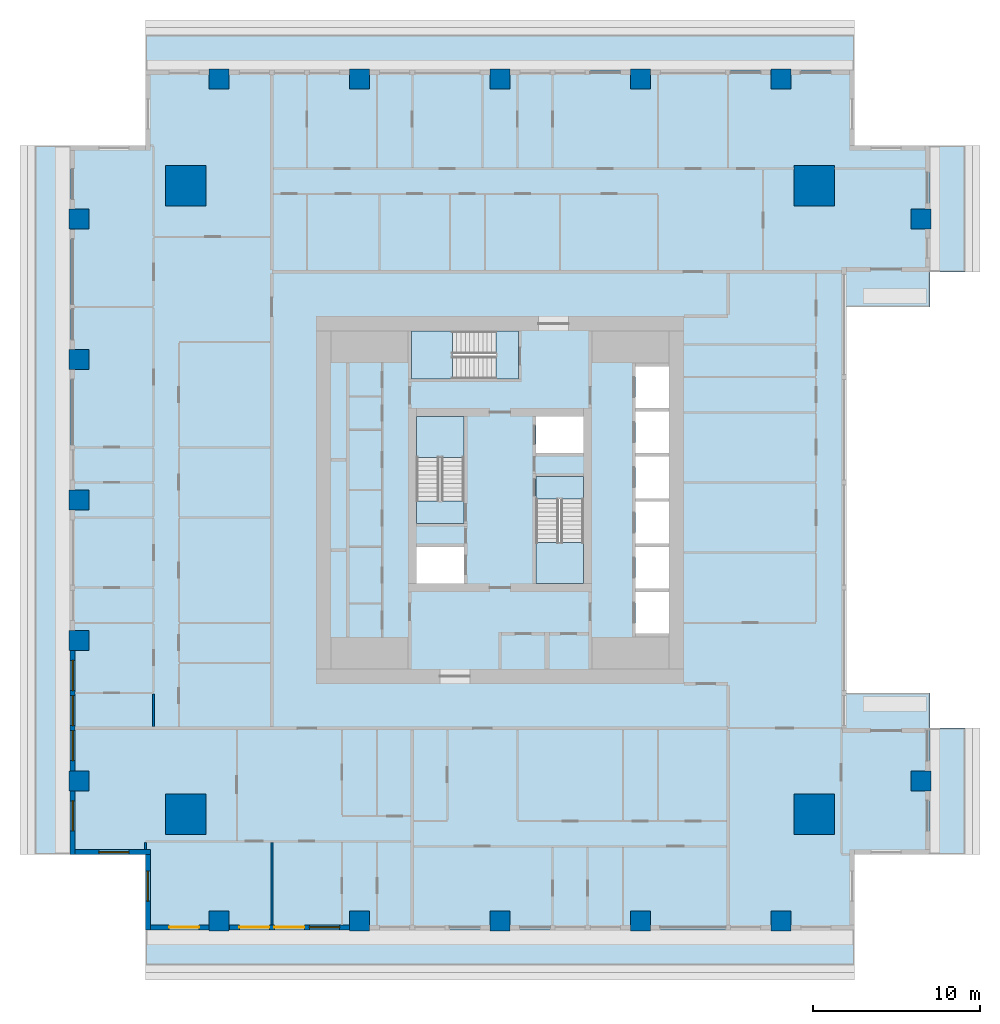
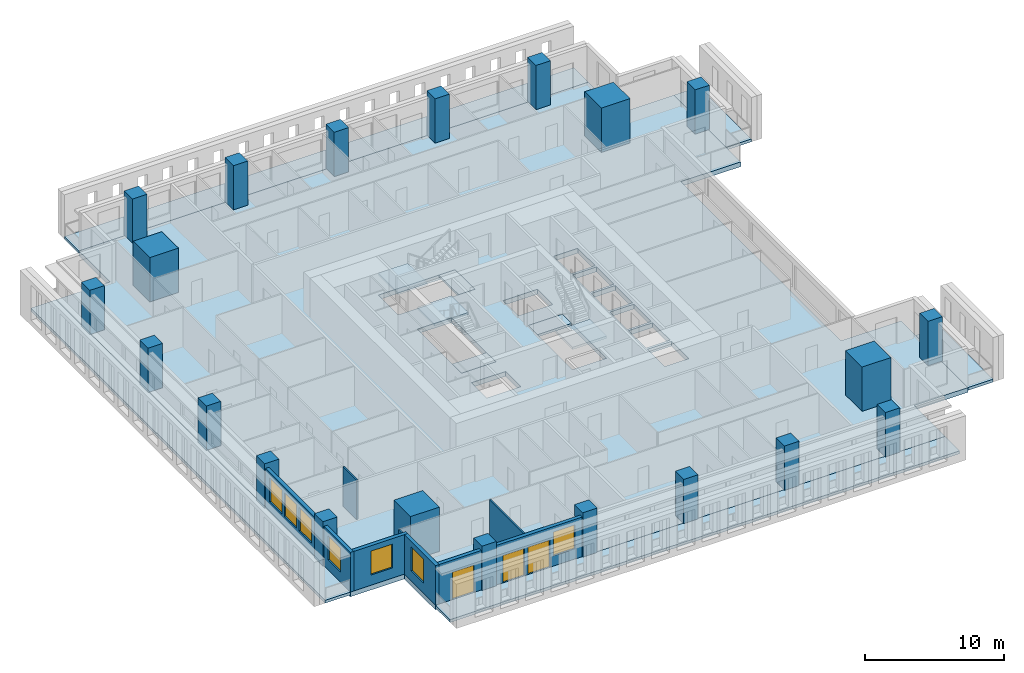
# One storey, part 1 of 15: 21 columns, 12 slabs, 9 walls, 7 windows, 3 doors, 10 openings, 3 elements without a shape of their own.
"""IFC4 building model written with IfcOpenShell, lengths in metres."""

import ifcopenshell
import ifcopenshell.guid

model = None  # the IFC model being written
_history = None  # IfcOwnerHistory: only IFC2X3 demands one
_inside = {}  # id of a spatial element -> (the spatial element, [elements in it])
_under = {}  # id of a project, library or spatial element -> (it, [spatial elements below it])
_declared = {}  # id of a project -> (the project, [libraries it declares])
_typed = {}  # id of a type object -> (the type object, [elements of that type])
_made_of = {}  # id of a material, layer set ... -> (it, [elements and type objects made of it])


def new_model(schema):
    """Start an empty IFC model of exactly this schema.

    Asked for "IFC4X3", IfcOpenShell would pick the latest addendum, in which some entities
    have other attributes; the version numbers below select the first issue.
    IFC2X3 requires an IfcOwnerHistory on every rooted entity: one is made here for all.
    """
    global model, _history
    if schema == "IFC4X3":
        model = ifcopenshell.file(schema_version=(4, 3, 0, 0))
    else:
        model = ifcopenshell.file(schema=schema)
    _inside.clear()
    _under.clear()
    _declared.clear()
    _typed.clear()
    _made_of.clear()
    _history = None
    if model.schema == "IFC2X3":
        org = make("IfcOrganization", Name="unknown")
        user = make(
            "IfcPersonAndOrganization",
            ThePerson=make("IfcPerson", FamilyName="unknown"),
            TheOrganization=org,
        )
        app = make(
            "IfcApplication",
            ApplicationDeveloper=org,
            Version="unknown",
            ApplicationFullName="unknown",
            ApplicationIdentifier="unknown",
        )
        _history = make(
            "IfcOwnerHistory",
            OwningUser=user,
            OwningApplication=app,
            ChangeAction="ADDED",
            CreationDate=0,
        )
    return model


def make(cls, **values):
    """One entity of the class cls with the attributes given. An attribute that is None is left unset."""
    return model.create_entity(
        cls, **{name: value for name, value in values.items() if value is not None}
    )


def rooted(cls, **values):
    """An entity with a GlobalId (a new one), such as an element, a storey or a relation."""
    return make(cls, GlobalId=ifcopenshell.guid.new(), OwnerHistory=_history, **values)


def si_unit(unit_type, name, prefix=None):
    """IfcSIUnit, for example si_unit("LENGTHUNIT", "METRE", prefix="MILLI")."""
    return make("IfcSIUnit", UnitType=unit_type, Prefix=prefix, Name=name)


def assignment(units):
    """IfcUnitAssignment: the units of a project."""
    return None if units is None else make("IfcUnitAssignment", Units=units)


def point(xyz):
    """IfcCartesianPoint."""
    return None if xyz is None else make("IfcCartesianPoint", Coordinates=xyz)


def direction(xyz):
    """IfcDirection."""
    return None if xyz is None else make("IfcDirection", DirectionRatios=xyz)


def frame(location, z_axis=None, x_axis=None):
    """IfcAxis2Placement3D, a coordinate frame: its origin and axes. An axis left out is left unset."""
    return make(
        "IfcAxis2Placement3D",
        Location=point(location),
        Axis=direction(z_axis),
        RefDirection=direction(x_axis),
    )


def frame_2d(location, x_axis=None):
    """IfcAxis2Placement2D, a coordinate frame in the plane: its origin and x axis."""
    return make(
        "IfcAxis2Placement2D", Location=point(location), RefDirection=direction(x_axis)
    )


def origin():
    """The frame at (0, 0, 0) with its axes left unset."""
    return frame((0.0, 0.0, 0.0))


def origin_2d():
    """The frame at (0, 0) in the plane with its x axis left unset."""
    return frame_2d((0.0, 0.0))


def place(relative_to, where):
    """IfcLocalPlacement: puts the frame where relative to a parent placement (None: the world)."""
    return make(
        "IfcLocalPlacement", PlacementRelTo=relative_to, RelativePlacement=where
    )


def context(
    kind, dimensions, precision=None, world=None, true_north=None, identifier=None
):
    """IfcGeometricRepresentationContext, for example the 3D "Model" context."""
    return make(
        "IfcGeometricRepresentationContext",
        ContextIdentifier=identifier,
        ContextType=kind,
        CoordinateSpaceDimension=dimensions,
        Precision=precision,
        WorldCoordinateSystem=world,
        TrueNorth=true_north,
    )


def subcontext(parent, identifier, kind, view, scale=None):
    """IfcGeometricRepresentationSubContext, for example "Body" below "Model"."""
    return make(
        "IfcGeometricRepresentationSubContext",
        ContextIdentifier=identifier,
        ContextType=kind,
        ParentContext=parent,
        TargetScale=scale,
        TargetView=view,
    )


def project(units=None, contexts=None):
    """IfcProject with its units and contexts."""
    return rooted(
        "IfcProject",
        Name="project",
        RepresentationContexts=contexts,
        UnitsInContext=assignment(units),
    )


def spatial(cls, under=None, at=None, **own):
    """A site, building, storey or space (cls), placed at a placement, below another one or the project."""
    s = rooted(cls, ObjectPlacement=at, **own)
    if under is not None:
        _under.setdefault(under.id(), (under, []))[1].append(s)
    return s


def polyline(points):
    """IfcPolyline through the points."""
    return make("IfcPolyline", Points=[point(p) for p in points])


def profile(cls, at=None, kind="AREA", **sizes):
    """A parametric profile (cls). Its sizes go by their IFC names, for example OverallWidth=200.0."""
    return make(cls, ProfileType=kind, Position=at, **sizes)


def rectangle(**sizes):
    """IfcRectangleProfileDef."""
    return profile("IfcRectangleProfileDef", **sizes)


def outline(outer, holes=None, kind="AREA"):
    """IfcArbitraryClosedProfileDef: a profile drawn as a closed curve; with holes, ...WithVoids."""
    if holes is None:
        return make("IfcArbitraryClosedProfileDef", ProfileType=kind, OuterCurve=outer)
    return make(
        "IfcArbitraryProfileDefWithVoids",
        ProfileType=kind,
        OuterCurve=outer,
        InnerCurves=holes,
    )


def extrude(swept, where, along, depth):
    """IfcExtrudedAreaSolid: the profile swept, set in the frame where, extruded along a direction by depth."""
    return make(
        "IfcExtrudedAreaSolid",
        SweptArea=swept,
        Position=where,
        ExtrudedDirection=direction(along),
        Depth=depth,
    )


def shape(context_of_items, identifier, shape_type, items):
    """IfcShapeRepresentation: the items that make up one representation, for example the "Body"."""
    return make(
        "IfcShapeRepresentation",
        ContextOfItems=context_of_items,
        RepresentationIdentifier=identifier,
        RepresentationType=shape_type,
        Items=items,
    )


def material(Name=None, Category=None):
    """IfcMaterial."""
    return make("IfcMaterial", Name=Name, Category=Category)


def layer(
    of_material, thickness, ventilated=None, Name=None, Category=None, Priority=None
):
    """IfcMaterialLayer: one layer of a wall or slab, of a material (None: an air gap)."""
    return make(
        "IfcMaterialLayer",
        Material=of_material,
        LayerThickness=thickness,
        IsVentilated=ventilated,
        Name=Name,
        Category=Category,
        Priority=Priority,
    )


def layer_set(layers, Name=None):
    """IfcMaterialLayerSet."""
    return make("IfcMaterialLayerSet", MaterialLayers=layers, LayerSetName=Name)


def material_profile(
    of_material, cross_section, Name=None, Category=None, Priority=None
):
    """IfcMaterialProfile: a cross section and its material."""
    return make(
        "IfcMaterialProfile",
        Name=Name,
        Material=of_material,
        Profile=cross_section,
        Priority=Priority,
        Category=Category,
    )


def profile_set(profiles, Name=None, composite=None):
    """IfcMaterialProfileSet."""
    return make(
        "IfcMaterialProfileSet",
        Name=Name,
        MaterialProfiles=profiles,
        CompositeProfile=composite,
    )


def made_of(thing, what):
    """Note that an element or type object is made of a material, layer set ...; save() writes the relation."""
    if what is not None:
        _made_of.setdefault(what.id(), (what, []))[1].append(thing)
    return thing


def type_object(cls, material=None, **own):
    """A type object (cls), such as IfcWallType, which elements share."""
    return made_of(rooted(cls, **own), material)


def element(
    cls,
    number,
    at=None,
    inside=None,
    cuts=None,
    type_object=None,
    material=None,
    context=None,
    identifier="Body",
    shape_type=None,
    held_by="IfcProductDefinitionShape",
    body=None,
    shapes=None,
    **own,
):
    """One element of the class cls, such as IfcWall. Its Tag is "e" and its number.

    at: its placement. inside: the storey or other place that contains it. cuts: it is an
    opening in that element (IfcRelVoidsElement). A single representation is given by context,
    identifier, shape_type and body (its items); several are given by shapes. held_by: the class
    of the entity that holds the representations. save() writes the other relations.
    """
    e = rooted(cls, Tag="e%d" % number, ObjectPlacement=at, **own)
    if body is not None:
        shapes = [shape(context, identifier, shape_type, body)]
    if shapes is not None:
        e.Representation = make(held_by, Representations=shapes)
    if inside is not None:
        _inside.setdefault(inside.id(), (inside, []))[1].append(e)
    if cuts is not None:
        rooted(
            "IfcRelVoidsElement", RelatingBuildingElement=cuts, RelatedOpeningElement=e
        )
    if type_object is not None:
        _typed.setdefault(type_object.id(), (type_object, []))[1].append(e)
    return made_of(e, material)


def fill(opening, filler):
    """IfcRelFillsElement: the door or window that sits in an opening."""
    return rooted(
        "IfcRelFillsElement",
        RelatingOpeningElement=opening,
        RelatedBuildingElement=filler,
    )


def aggregate(whole, parts):
    """IfcRelAggregates: a whole, such as a stair, and the parts it consists of."""
    return rooted("IfcRelAggregates", RelatingObject=whole, RelatedObjects=parts)


def save(model, path):
    """Write the relations noted so far, then the file.

    IfcRelAggregates (storeys below a building ...), IfcRelContainedInSpatialStructure (elements
    in a storey), IfcRelDefinesByType, IfcRelAssociatesMaterial and IfcRelDeclares: one each for
    every whole, place, type object, material and project.
    """
    for whole, parts in _under.values():
        aggregate(whole, parts)
    for where, things in _inside.values():
        rooted(
            "IfcRelContainedInSpatialStructure",
            RelatedElements=things,
            RelatingStructure=where,
        )
    for kind, things in _typed.values():
        rooted("IfcRelDefinesByType", RelatedObjects=things, RelatingType=kind)
    for what, things in _made_of.values():
        rooted("IfcRelAssociatesMaterial", RelatedObjects=things, RelatingMaterial=what)
    for by, libraries in _declared.values():
        rooted("IfcRelDeclares", RelatingContext=by, RelatedDefinitions=libraries)
    model.write(path)


model = new_model("IFC4")

# Units and contexts
model_context = context("Model", 3, precision=1e-05, world=origin(), true_north=direction((0.0, 1.0)))
body_context = subcontext(model_context, "Body", "Model", "MODEL_VIEW")
ifc_project = project(units=[si_unit("LENGTHUNIT", "METRE"), si_unit("AREAUNIT", "SQUARE_METRE"), si_unit("VOLUMEUNIT", "CUBIC_METRE"), si_unit("PLANEANGLEUNIT", "RADIAN"), si_unit("MASSUNIT", "GRAM", prefix="KILO")], contexts=[model_context])

# Site, building, storey
site_placement = place(None, origin())
site = spatial("IfcSite", under=ifc_project, at=site_placement, CompositionType="ELEMENT")
building_placement = place(site_placement, origin())
building = spatial("IfcBuilding", under=site, at=building_placement, Name="Khepri Terraces", CompositionType="ELEMENT")
storey_placement = place(building_placement, frame((0.0, 0.0, 227.39990234375)))
storey = spatial("IfcBuildingStorey", under=building, at=storey_placement, Name="L54", CompositionType="ELEMENT", Elevation=227.39990234375)

# Columns
ifc_material_1 = material(Name="Concrete C50/60", Category="concrete")
ifc_material_profile_1 = material_profile(ifc_material_1, rectangle(XDim=2.39990234375, YDim=2.39990234375, at=origin_2d()), Name="Concrete C50/60", Category="concrete")
ifc_profile_set_1 = profile_set([ifc_material_profile_1], Name="Concrete C50/60")
column_type_1 = type_object("IfcColumnType", Name="Mega column RC 2400x2400 C50/60", PredefinedType="COLUMN", material=ifc_profile_set_1)
for number, where, z_axis, x_axis, name in (
    (1, (18.800048828125, 18.800048828125, 0.0), (0.0, 0.0, 1.0), (1.0, 0.0, 0.0), "Mega column MEN L54"),
    (2, (18.800048828125, -18.800048828125, 0.0), (0.0, 0.0, 1.0), (1.0, 0.0, 0.0), "Mega column MES L54"),
    (3, (-18.800048828125, 18.800048828125, 0.0), (0.0, 0.0, 1.0), (1.0, 0.0, 0.0), "Mega column MWN L54"),
    (4, (-18.800048828125, -18.800048828125, 0.0), (0.0, 0.0, 1.0), (1.0, 0.0, 0.0), "Mega column MWS L54"),
):
    element("IfcColumn", number, at=place(storey_placement, frame(where, z_axis=z_axis, x_axis=x_axis)), inside=storey, type_object=column_type_1, Name=name, PredefinedType="COLUMN", context=body_context, shape_type="SweptSolid", body=[
        extrude(rectangle(XDim=2.39990234375, YDim=2.39990234375, at=origin_2d()), origin(), (0.0, 0.0, 1.0), 3.900146484375),
    ])
ifc_material_profile_2 = material_profile(ifc_material_1, rectangle(XDim=1.199951171875, YDim=1.199951171875, at=origin_2d()), Name="Concrete C50/60", Category="concrete")
ifc_profile_set_2 = profile_set([ifc_material_profile_2], Name="Concrete C50/60")
column_type_2 = type_object("IfcColumnType", Name="Tower column RC 1200x1200 C50/60", PredefinedType="COLUMN", material=ifc_profile_set_2)
for number, where, z_axis, x_axis, name in (
    (5, (25.199951171875, 16.800048828125, 0.0), (0.0, 0.0, 1.0), (1.0, 0.0, 0.0), "Perimeter column PE+168a L54"),
    (6, (25.199951171875, -16.800048828125, 0.0), (0.0, 0.0, 1.0), (1.0, 0.0, 0.0), "Perimeter column PE-168a L54"),
    (7, (0.0, 25.199951171875, 0.0), (0.0, 0.0, 1.0), (1.0, 0.0, 0.0), "Perimeter column PN+000b L54"),
    (8, (-8.39990234375, 25.199951171875, 0.0), (0.0, 0.0, 1.0), (1.0, 0.0, 0.0), "Perimeter column PN+084b L54"),
    (9, (-16.800048828125, 25.199951171875, 0.0), (0.0, 0.0, 1.0), (1.0, 0.0, 0.0), "Perimeter column PN+168a L54"),
    (10, (8.39990234375, 25.199951171875, 0.0), (0.0, 0.0, 1.0), (1.0, 0.0, 0.0), "Perimeter column PN-084b L54"),
    (11, (16.800048828125, 25.199951171875, 0.0), (0.0, 0.0, 1.0), (1.0, 0.0, 0.0), "Perimeter column PN-168a L54"),
    (12, (0.0, -25.199951171875, 0.0), (0.0, 0.0, 1.0), (1.0, 0.0, 0.0), "Perimeter column PS+000b L54"),
    (13, (8.39990234375, -25.199951171875, 0.0), (0.0, 0.0, 1.0), (1.0, 0.0, 0.0), "Perimeter column PS+084b L54"),
    (14, (16.800048828125, -25.199951171875, 0.0), (0.0, 0.0, 1.0), (1.0, 0.0, 0.0), "Perimeter column PS+168a L54"),
    (15, (-8.39990234375, -25.199951171875, 0.0), (0.0, 0.0, 1.0), (1.0, 0.0, 0.0), "Perimeter column PS-084b L54"),
    (16, (-16.800048828125, -25.199951171875, 0.0), (0.0, 0.0, 1.0), (1.0, 0.0, 0.0), "Perimeter column PS-168a L54"),
    (17, (-25.199951171875, 0.0, 0.0), (0.0, 0.0, 1.0), (1.0, 0.0, 0.0), "Perimeter column PW+000b L54"),
    (18, (-25.199951171875, -8.39990234375, 0.0), (0.0, 0.0, 1.0), (1.0, 0.0, 0.0), "Perimeter column PW+084b L54"),
    (19, (-25.199951171875, -16.800048828125, 0.0), (0.0, 0.0, 1.0), (1.0, 0.0, 0.0), "Perimeter column PW+168a L54"),
    (20, (-25.199951171875, 8.39990234375, 0.0), (0.0, 0.0, 1.0), (1.0, 0.0, 0.0), "Perimeter column PW-084b L54"),
    (21, (-25.199951171875, 16.800048828125, 0.0), (0.0, 0.0, 1.0), (1.0, 0.0, 0.0), "Perimeter column PW-168a L54"),
):
    element("IfcColumn", number, at=place(storey_placement, frame(where, z_axis=z_axis, x_axis=x_axis)), inside=storey, type_object=column_type_2, Name=name, PredefinedType="COLUMN", context=body_context, shape_type="SweptSolid", body=[
        extrude(rectangle(XDim=1.199951171875, YDim=1.199951171875, at=origin_2d()), origin(), (0.0, 0.0, 1.0), 3.900146484375),
    ])

# Slabs
ifc_material_2 = material(Name="Concrete C40/50", Category="concrete")
ifc_layer_1 = layer(ifc_material_2, 0.419921875, Name="Concrete C40/50", Category="concrete")
ifc_layer_set_1 = layer_set([ifc_layer_1], Name="Concrete C40/50")
slab_type_1 = type_object("IfcSlabType", Name="Flat plate 420", PredefinedType="FLOOR", material=ifc_layer_set_1)
slab_1_placement = place(storey_placement, frame((0.0, 0.0, -0.419921875)))
element("IfcSlab", 22, at=slab_1_placement, inside=storey, type_object=slab_type_1, Name="Floor slab F01 L54", PredefinedType="FLOOR", context=body_context, shape_type="SweptSolid", body=[
    extrude(outline(polyline([(21.219970703125, 25.719970703125), (21.219970703125, 21.219970703125), (25.719970703125, 21.219970703125), (25.719970703125, 13.64990234375), (25.719970703125, 11.550048828125), (20.719970703125, 11.550048828125), (20.719970703125, -11.550048828125), (25.719970703125, -11.550048828125), (25.719970703125, -13.64990234375), (25.719970703125, -21.219970703125), (21.219970703125, -21.219970703125), (21.219970703125, -25.719970703125), (-21.219970703125, -25.719970703125), (-21.219970703125, -21.219970703125), (-25.719970703125, -21.219970703125), (-25.719970703125, 21.219970703125), (-21.219970703125, 21.219970703125), (-21.219970703125, 25.719970703125), (21.219970703125, 25.719970703125)]), holes=[polyline([(2.14990234375, 2.800048828125), (5.0, 2.800048828125), (5.0, 5.0), (2.14990234375, 5.0), (2.14990234375, 2.800048828125)]), polyline([(-5.0, -2.800048828125), (-5.0, -5.0), (-2.14990234375, -5.0), (-2.14990234375, -2.800048828125), (-5.0, -2.800048828125)]), polyline([(10.10009765625, -5.5), (8.10009765625, -5.5), (8.10009765625, -8.0), (10.10009765625, -8.0), (10.10009765625, -5.5)]), polyline([(10.10009765625, -5.300048828125), (10.10009765625, -2.800048828125), (8.10009765625, -2.800048828125), (8.10009765625, -5.300048828125), (10.10009765625, -5.300048828125)]), polyline([(8.10009765625, -2.60009765625), (10.10009765625, -2.60009765625), (10.10009765625, -0.10009765625), (8.10009765625, -0.10009765625), (8.10009765625, -2.60009765625)]), polyline([(8.10009765625, 2.60009765625), (8.10009765625, 0.10009765625), (10.10009765625, 0.10009765625), (10.10009765625, 2.60009765625), (8.10009765625, 2.60009765625)]), polyline([(10.10009765625, 5.300048828125), (8.10009765625, 5.300048828125), (8.10009765625, 2.800048828125), (10.10009765625, 2.800048828125), (10.10009765625, 5.300048828125)]), polyline([(10.10009765625, 5.5), (10.10009765625, 8.0), (8.10009765625, 8.0), (8.10009765625, 5.5), (10.10009765625, 5.5)]), polyline([(-5.0, -1.39990234375), (-2.14990234375, -1.39990234375), (-2.14990234375, 5.0), (-5.0, 5.0), (-5.0, -1.39990234375)]), polyline([(5.0, -5.0), (5.0, 1.39990234375), (2.14990234375, 1.39990234375), (2.14990234375, -5.0), (5.0, -5.0)]), polyline([(-5.300048828125, 10.10009765625), (-5.300048828125, 7.25), (1.10009765625, 7.25), (1.10009765625, 10.10009765625), (-5.300048828125, 10.10009765625)])]), origin(), (0.0, 0.0, 1.0), 0.419921875),
])
ifc_material_3 = material(Name="Precast concrete C50/60 warm stone", Category="masonry")
ifc_layer_2 = layer(ifc_material_3, 0.25, Name="Precast concrete C50/60 warm stone", Category="masonry")
ifc_layer_set_2 = layer_set([ifc_layer_2], Name="Precast concrete C50/60 warm stone")
slab_type_2 = type_object("IfcSlabType", Name="SLB-BALCONY-250", PredefinedType="FLOOR", material=ifc_layer_set_2)
slab_2_placement = place(storey_placement, frame((0.0, 0.0, -0.25)))
element("IfcSlab", 23, at=slab_2_placement, inside=storey, type_object=slab_type_2, Name="Balcony slab L54 S", PredefinedType="FLOOR", context=body_context, shape_type="SweptSolid", body=[
    extrude(outline(polyline([(-17.39990234375, -25.719970703125), (-21.219970703125, -25.719970703125), (-21.219970703125, -27.820068359375), (21.219970703125, -27.820068359375), (21.219970703125, -25.719970703125), (17.39990234375, -25.719970703125), (17.39990234375, -25.800048828125), (16.199951171875, -25.800048828125), (16.199951171875, -25.719970703125), (9.0, -25.719970703125), (9.0, -25.800048828125), (7.800048828125, -25.800048828125), (7.800048828125, -25.719970703125), (0.60009765625, -25.719970703125), (0.60009765625, -25.800048828125), (-0.60009765625, -25.800048828125), (-0.60009765625, -25.719970703125), (-7.800048828125, -25.719970703125), (-7.800048828125, -25.800048828125), (-9.0, -25.800048828125), (-9.0, -25.719970703125), (-16.199951171875, -25.719970703125), (-16.199951171875, -25.800048828125), (-17.39990234375, -25.800048828125), (-17.39990234375, -25.719970703125)])), origin(), (0.0, 0.0, 1.0), 0.25),
])
slab_3_placement = place(storey_placement, frame((0.0, 0.0, -0.25)))
element("IfcSlab", 24, at=slab_3_placement, inside=storey, type_object=slab_type_2, Name="Balcony slab L54 E", PredefinedType="FLOOR", context=body_context, shape_type="SweptSolid", body=[
    extrude(outline(polyline([(25.719970703125, -17.39990234375), (25.719970703125, -21.219970703125), (27.820068359375, -21.219970703125), (27.820068359375, -13.64990234375), (25.719970703125, -13.64990234375), (25.719970703125, -16.199951171875), (25.800048828125, -16.199951171875), (25.800048828125, -17.39990234375), (25.719970703125, -17.39990234375)])), origin(), (0.0, 0.0, 1.0), 0.25),
])
slab_4_placement = place(storey_placement, frame((0.0, 0.0, -0.25)))
element("IfcSlab", 25, at=slab_4_placement, inside=storey, type_object=slab_type_2, Name="Balcony slab L54 E", PredefinedType="FLOOR", context=body_context, shape_type="SweptSolid", body=[
    extrude(outline(polyline([(25.719970703125, 16.199951171875), (25.719970703125, 13.64990234375), (27.820068359375, 13.64990234375), (27.820068359375, 21.219970703125), (25.719970703125, 21.219970703125), (25.719970703125, 17.39990234375), (25.800048828125, 17.39990234375), (25.800048828125, 16.199951171875), (25.719970703125, 16.199951171875)])), origin(), (0.0, 0.0, 1.0), 0.25),
])
slab_5_placement = place(storey_placement, frame((0.0, 0.0, -0.25)))
element("IfcSlab", 26, at=slab_5_placement, inside=storey, type_object=slab_type_2, Name="Balcony slab L54 N", PredefinedType="FLOOR", context=body_context, shape_type="SweptSolid", body=[
    extrude(outline(polyline([(17.39990234375, 25.719970703125), (21.219970703125, 25.719970703125), (21.219970703125, 27.820068359375), (-21.219970703125, 27.820068359375), (-21.219970703125, 25.719970703125), (-17.39990234375, 25.719970703125), (-17.39990234375, 25.800048828125), (-16.199951171875, 25.800048828125), (-16.199951171875, 25.719970703125), (-9.0, 25.719970703125), (-9.0, 25.800048828125), (-7.800048828125, 25.800048828125), (-7.800048828125, 25.719970703125), (-0.60009765625, 25.719970703125), (-0.60009765625, 25.800048828125), (0.60009765625, 25.800048828125), (0.60009765625, 25.719970703125), (7.800048828125, 25.719970703125), (7.800048828125, 25.800048828125), (9.0, 25.800048828125), (9.0, 25.719970703125), (16.199951171875, 25.719970703125), (16.199951171875, 25.800048828125), (17.39990234375, 25.800048828125), (17.39990234375, 25.719970703125)])), origin(), (0.0, 0.0, 1.0), 0.25),
])
slab_6_placement = place(storey_placement, frame((0.0, 0.0, -0.25)))
element("IfcSlab", 27, at=slab_6_placement, inside=storey, type_object=slab_type_2, Name="Balcony slab L54 W", PredefinedType="FLOOR", context=body_context, shape_type="SweptSolid", body=[
    extrude(outline(polyline([(-25.719970703125, 17.39990234375), (-25.719970703125, 21.219970703125), (-27.820068359375, 21.219970703125), (-27.820068359375, -21.219970703125), (-25.719970703125, -21.219970703125), (-25.719970703125, -17.39990234375), (-25.800048828125, -17.39990234375), (-25.800048828125, -16.199951171875), (-25.719970703125, -16.199951171875), (-25.719970703125, -9.0), (-25.800048828125, -9.0), (-25.800048828125, -7.800048828125), (-25.719970703125, -7.800048828125), (-25.719970703125, -0.60009765625), (-25.800048828125, -0.60009765625), (-25.800048828125, 0.60009765625), (-25.719970703125, 0.60009765625), (-25.719970703125, 7.800048828125), (-25.800048828125, 7.800048828125), (-25.800048828125, 9.0), (-25.719970703125, 9.0), (-25.719970703125, 16.199951171875), (-25.800048828125, 16.199951171875), (-25.800048828125, 17.39990234375), (-25.719970703125, 17.39990234375)])), origin(), (0.0, 0.0, 1.0), 0.25),
])

# Stair, slabs
stair_type = type_object("IfcStairType", Name="STAIR-RC-22R", PredefinedType="HALF_TURN_STAIR", material=ifc_material_2)
stair_1_placement = place(storey_placement, origin())
stair_1 = element("IfcStair", 28, at=stair_1_placement, inside=storey, type_object=stair_type, Name="L54 Exit Stair ST-1", PredefinedType="HALF_TURN_STAIR")
ifc_layer_3 = layer(ifc_material_2, 0.199951171875, Name="Concrete C40/50", Category="concrete")
ifc_layer_set_3 = layer_set([ifc_layer_3], Name="Concrete C40/50")
slab_type_3 = type_object("IfcSlabType", Name="SLB-CORE-LANDING", PredefinedType="LANDING", material=ifc_layer_set_3)
slab_7_placement = place(storey_placement, frame((0.0, 0.0, -0.199951171875)))
slab_7 = element("IfcSlab", 29, at=slab_7_placement, type_object=slab_type_3, Name="ST-1 landing 1", PredefinedType="LANDING", context=body_context, shape_type="SweptSolid", body=[
    extrude(outline(polyline([(-2.14990234375, -1.39990234375), (-2.14990234375, -0.050048828125), (-5.0, -0.050048828125), (-5.0, -1.39990234375), (-2.14990234375, -1.39990234375)])), origin(), (0.0, 0.0, 1.0), 0.199951171875),
])
slab_8_placement = place(storey_placement, frame((0.0, 0.0, 1.75)))
slab_8 = element("IfcSlab", 30, at=slab_8_placement, type_object=slab_type_3, Name="ST-1 landing 2", PredefinedType="LANDING", context=body_context, shape_type="SweptSolid", body=[
    extrude(outline(polyline([(-2.14990234375, 2.550048828125), (-2.14990234375, 5.0), (-5.0, 5.0), (-5.0, 2.550048828125), (-2.14990234375, 2.550048828125)])), origin(), (0.0, 0.0, 1.0), 0.2001953125),
])
aggregate(stair_1, [slab_7, slab_8])

stair_2_placement = place(storey_placement, origin())
stair_2 = element("IfcStair", 31, at=stair_2_placement, inside=storey, type_object=stair_type, Name="L54 Exit Stair ST-2", PredefinedType="HALF_TURN_STAIR")
slab_9_placement = place(storey_placement, frame((0.0, 0.0, -0.199951171875)))
slab_9 = element("IfcSlab", 32, at=slab_9_placement, type_object=slab_type_3, Name="ST-2 landing 1", PredefinedType="LANDING", context=body_context, shape_type="SweptSolid", body=[
    extrude(outline(polyline([(2.14990234375, 1.39990234375), (2.14990234375, 0.050048828125), (5.0, 0.050048828125), (5.0, 1.39990234375), (2.14990234375, 1.39990234375)])), origin(), (0.0, 0.0, 1.0), 0.199951171875),
])
slab_10_placement = place(storey_placement, frame((0.0, 0.0, 1.75)))
slab_10 = element("IfcSlab", 33, at=slab_10_placement, type_object=slab_type_3, Name="ST-2 landing 2", PredefinedType="LANDING", context=body_context, shape_type="SweptSolid", body=[
    extrude(outline(polyline([(2.14990234375, -2.550048828125), (2.14990234375, -5.0), (5.0, -5.0), (5.0, -2.550048828125), (2.14990234375, -2.550048828125)])), origin(), (0.0, 0.0, 1.0), 0.2001953125),
])
aggregate(stair_2, [slab_9, slab_10])

stair_3_placement = place(storey_placement, origin())
stair_3 = element("IfcStair", 34, at=stair_3_placement, inside=storey, type_object=stair_type, Name="L54 Exit Stair ST-3", PredefinedType="HALF_TURN_STAIR")
slab_11_placement = place(storey_placement, frame((0.0, 0.0, -0.199951171875)))
slab_11 = element("IfcSlab", 35, at=slab_11_placement, type_object=slab_type_3, Name="ST-3 landing 1", PredefinedType="LANDING", context=body_context, shape_type="SweptSolid", body=[
    extrude(outline(polyline([(1.10009765625, 10.10009765625), (-0.25, 10.10009765625), (-0.25, 7.25), (1.10009765625, 7.25), (1.10009765625, 10.10009765625)])), origin(), (0.0, 0.0, 1.0), 0.199951171875),
])
slab_12_placement = place(storey_placement, frame((0.0, 0.0, 1.75)))
slab_12 = element("IfcSlab", 36, at=slab_12_placement, type_object=slab_type_3, Name="ST-3 landing 2", PredefinedType="LANDING", context=body_context, shape_type="SweptSolid", body=[
    extrude(outline(polyline([(-2.85009765625, 10.10009765625), (-5.300048828125, 10.10009765625), (-5.300048828125, 7.25), (-2.85009765625, 7.25), (-2.85009765625, 10.10009765625)])), origin(), (0.0, 0.0, 1.0), 0.2001953125),
])
aggregate(stair_3, [slab_11, slab_12])

# Wall, openings, windows
ifc_layer_4 = layer(ifc_material_3, 0.300048828125, Name="Precast concrete C50/60 warm stone", Category="masonry")
ifc_layer_set_4 = layer_set([ifc_layer_4], Name="Precast concrete C50/60 warm stone")
wall_type_1 = type_object("IfcWallType", Name="WL-EXT-PRECAST-300", PredefinedType="STANDARD", material=ifc_layer_set_4)
wall_1_placement = place(storey_placement, frame((-25.570068359375, -9.0, 0.0), z_axis=(0.0, 0.0, 1.0), x_axis=(0.0, -1.0, 0.0)))
wall_1 = element("IfcWall", 37, at=wall_1_placement, inside=storey, type_object=wall_type_1, Name="External wall L54 W", PredefinedType="STANDARD", context=body_context, shape_type="SweptSolid", body=[
    extrude(rectangle(XDim=7.199951171875, YDim=0.300048828125, at=frame_2d((3.60009765625, 0.0))), origin(), (0.0, 0.0, 1.0), 3.47998046875),
])
opening_1_placement = place(wall_1_placement, frame((0.60009765625, 0.0, 0.89990234375)))
opening_1 = element("IfcOpeningElement", 38, at=opening_1_placement, cuts=wall_1, Name="Opening W1", PredefinedType="OPENING", context=body_context, shape_type="SweptSolid", body=[
    extrude(rectangle(XDim=1.800048828125, YDim=2.10009765625, at=frame_2d((0.89990234375, 1.050048828125))), frame((0.0, 0.16015625, 0.0), z_axis=(0.0, -1.0, 0.0), x_axis=(1.0, 0.0, 0.0)), (0.0, 0.0, 1.0), 0.320068359375),
])
opening_2_placement = place(wall_1_placement, frame((2.699951171875, 0.0, 0.89990234375)))
opening_2 = element("IfcOpeningElement", 39, at=opening_2_placement, cuts=wall_1, Name="Opening W1", PredefinedType="OPENING", context=body_context, shape_type="SweptSolid", body=[
    extrude(rectangle(XDim=1.800048828125, YDim=2.10009765625, at=frame_2d((0.89990234375, 1.050048828125))), frame((0.0, 0.16015625, 0.0), z_axis=(0.0, -1.0, 0.0), x_axis=(1.0, 0.0, 0.0)), (0.0, 0.0, 1.0), 0.320068359375),
])
opening_3_placement = place(wall_1_placement, frame((4.800048828125, 0.0, 0.89990234375)))
opening_3 = element("IfcOpeningElement", 40, at=opening_3_placement, cuts=wall_1, Name="Opening W1", PredefinedType="OPENING", context=body_context, shape_type="SweptSolid", body=[
    extrude(rectangle(XDim=1.800048828125, YDim=2.10009765625, at=frame_2d((0.89990234375, 1.050048828125))), frame((0.0, 0.16015625, 0.0), z_axis=(0.0, -1.0, 0.0), x_axis=(1.0, 0.0, 0.0)), (0.0, 0.0, 1.0), 0.320068359375),
])
ifc_material_4 = material(Name="Clear glass", Category="glass")
window_type = type_object("IfcWindowType", Name="WIN-RES-1800x2100", PartitioningType="SINGLE_PANEL", PredefinedType="WINDOW", material=ifc_material_4)
window_1_placement = place(opening_1_placement, origin())
window_1 = element("IfcWindow", 41, at=window_1_placement, inside=storey, type_object=window_type, Name="Window L54 W", OverallHeight=2.10009765625, OverallWidth=1.800048828125, PartitioningType="SINGLE_PANEL", PredefinedType="WINDOW", context=body_context, shape_type="SweptSolid", body=[
    extrude(rectangle(XDim=1.800048828125, YDim=2.10009765625, at=frame_2d((0.89990234375, 1.050048828125))), frame((0.0, 0.030029296875, 0.0), z_axis=(0.0, -1.0, 0.0), x_axis=(1.0, 0.0, 0.0)), (0.0, 0.0, 1.0), 0.06005859375),
])
fill(opening_1, window_1)
window_2_placement = place(opening_2_placement, origin())
window_2 = element("IfcWindow", 42, at=window_2_placement, inside=storey, type_object=window_type, Name="Window L54 W", OverallHeight=2.10009765625, OverallWidth=1.800048828125, PartitioningType="SINGLE_PANEL", PredefinedType="WINDOW", context=body_context, shape_type="SweptSolid", body=[
    extrude(rectangle(XDim=1.800048828125, YDim=2.10009765625, at=frame_2d((0.89990234375, 1.050048828125))), frame((0.0, 0.030029296875, 0.0), z_axis=(0.0, -1.0, 0.0), x_axis=(1.0, 0.0, 0.0)), (0.0, 0.0, 1.0), 0.06005859375),
])
fill(opening_2, window_2)
window_3_placement = place(opening_3_placement, origin())
window_3 = element("IfcWindow", 43, at=window_3_placement, inside=storey, type_object=window_type, Name="Window L54 W", OverallHeight=2.10009765625, OverallWidth=1.800048828125, PartitioningType="SINGLE_PANEL", PredefinedType="WINDOW", context=body_context, shape_type="SweptSolid", body=[
    extrude(rectangle(XDim=1.800048828125, YDim=2.10009765625, at=frame_2d((0.89990234375, 1.050048828125))), frame((0.0, 0.030029296875, 0.0), z_axis=(0.0, -1.0, 0.0), x_axis=(1.0, 0.0, 0.0)), (0.0, 0.0, 1.0), 0.06005859375),
])
fill(opening_3, window_3)

# Wall, opening, window
wall_2_placement = place(storey_placement, frame((-25.570068359375, -17.39990234375, 0.0), z_axis=(0.0, 0.0, 1.0), x_axis=(0.0, -1.0, 0.0)))
wall_2 = element("IfcWall", 44, at=wall_2_placement, inside=storey, type_object=wall_type_1, Name="External wall L54 W", PredefinedType="STANDARD", context=body_context, shape_type="SweptSolid", body=[
    extrude(rectangle(XDim=3.820068359375, YDim=0.300048828125, at=frame_2d((1.91015625, 0.0))), origin(), (0.0, 0.0, 1.0), 3.47998046875),
])
opening_4_placement = place(wall_2_placement, frame((0.60009765625, 0.0, 0.89990234375)))
opening_4 = element("IfcOpeningElement", 45, at=opening_4_placement, cuts=wall_2, Name="Opening W1", PredefinedType="OPENING", context=body_context, shape_type="SweptSolid", body=[
    extrude(rectangle(XDim=1.800048828125, YDim=2.10009765625, at=frame_2d((0.89990234375, 1.050048828125))), frame((0.0, 0.16015625, 0.0), z_axis=(0.0, -1.0, 0.0), x_axis=(1.0, 0.0, 0.0)), (0.0, 0.0, 1.0), 0.320068359375),
])
window_4_placement = place(opening_4_placement, origin())
window_4 = element("IfcWindow", 46, at=window_4_placement, inside=storey, type_object=window_type, Name="Window L54 W", OverallHeight=2.10009765625, OverallWidth=1.800048828125, PartitioningType="SINGLE_PANEL", PredefinedType="WINDOW", context=body_context, shape_type="SweptSolid", body=[
    extrude(rectangle(XDim=1.800048828125, YDim=2.10009765625, at=frame_2d((0.89990234375, 1.050048828125))), frame((0.0, 0.030029296875, 0.0), z_axis=(0.0, -1.0, 0.0), x_axis=(1.0, 0.0, 0.0)), (0.0, 0.0, 1.0), 0.06005859375),
])
fill(opening_4, window_4)

wall_3_placement = place(storey_placement, frame((-25.419921875, -21.070068359375, 0.0), z_axis=(0.0, 0.0, 1.0), x_axis=(1.0, 0.0, 0.0)))
wall_3 = element("IfcWall", 47, at=wall_3_placement, inside=storey, type_object=wall_type_1, Name="External wall L54 S", PredefinedType="STANDARD", context=body_context, shape_type="SweptSolid", body=[
    extrude(rectangle(XDim=4.5, YDim=0.300048828125, at=frame_2d((2.25, 0.0))), origin(), (0.0, 0.0, 1.0), 3.47998046875),
])
opening_5_placement = place(wall_3_placement, frame((1.419921875, 0.0, 0.89990234375)))
opening_5 = element("IfcOpeningElement", 48, at=opening_5_placement, cuts=wall_3, Name="Opening W1", PredefinedType="OPENING", context=body_context, shape_type="SweptSolid", body=[
    extrude(rectangle(XDim=1.800048828125, YDim=2.10009765625, at=frame_2d((0.89990234375, 1.050048828125))), frame((0.0, 0.16015625, 0.0), z_axis=(0.0, -1.0, 0.0), x_axis=(1.0, 0.0, 0.0)), (0.0, 0.0, 1.0), 0.320068359375),
])
window_5_placement = place(opening_5_placement, origin())
window_5 = element("IfcWindow", 49, at=window_5_placement, inside=storey, type_object=window_type, Name="Window L54 S", OverallHeight=2.10009765625, OverallWidth=1.800048828125, PartitioningType="SINGLE_PANEL", PredefinedType="WINDOW", context=body_context, shape_type="SweptSolid", body=[
    extrude(rectangle(XDim=1.800048828125, YDim=2.10009765625, at=frame_2d((0.89990234375, 1.050048828125))), frame((0.0, 0.030029296875, 0.0), z_axis=(0.0, -1.0, 0.0), x_axis=(1.0, 0.0, 0.0)), (0.0, 0.0, 1.0), 0.06005859375),
])
fill(opening_5, window_5)

wall_4_placement = place(storey_placement, frame((-21.070068359375, -21.219970703125, 0.0), z_axis=(0.0, 0.0, 1.0), x_axis=(0.0, -1.0, 0.0)))
wall_4 = element("IfcWall", 50, at=wall_4_placement, inside=storey, type_object=wall_type_1, Name="External wall L54 W", PredefinedType="STANDARD", context=body_context, shape_type="SweptSolid", body=[
    extrude(rectangle(XDim=4.5, YDim=0.300048828125, at=frame_2d((2.25, 0.0))), origin(), (0.0, 0.0, 1.0), 3.47998046875),
])
opening_6_placement = place(wall_4_placement, frame((0.97998046875, 0.0, 0.89990234375)))
opening_6 = element("IfcOpeningElement", 51, at=opening_6_placement, cuts=wall_4, Name="Opening W1", PredefinedType="OPENING", context=body_context, shape_type="SweptSolid", body=[
    extrude(rectangle(XDim=1.800048828125, YDim=2.10009765625, at=frame_2d((0.89990234375, 1.050048828125))), frame((0.0, 0.16015625, 0.0), z_axis=(0.0, -1.0, 0.0), x_axis=(1.0, 0.0, 0.0)), (0.0, 0.0, 1.0), 0.320068359375),
])
window_6_placement = place(opening_6_placement, origin())
window_6 = element("IfcWindow", 52, at=window_6_placement, inside=storey, type_object=window_type, Name="Window L54 W", OverallHeight=2.10009765625, OverallWidth=1.800048828125, PartitioningType="SINGLE_PANEL", PredefinedType="WINDOW", context=body_context, shape_type="SweptSolid", body=[
    extrude(rectangle(XDim=1.800048828125, YDim=2.10009765625, at=frame_2d((0.89990234375, 1.050048828125))), frame((0.0, 0.030029296875, 0.0), z_axis=(0.0, -1.0, 0.0), x_axis=(1.0, 0.0, 0.0)), (0.0, 0.0, 1.0), 0.06005859375),
])
fill(opening_6, window_6)

# Wall, opening, door
wall_5_placement = place(storey_placement, frame((-20.919921875, -25.570068359375, 0.0), z_axis=(0.0, 0.0, 1.0), x_axis=(1.0, 0.0, 0.0)))
wall_5 = element("IfcWall", 53, at=wall_5_placement, inside=storey, type_object=wall_type_1, Name="External wall L54 S", PredefinedType="STANDARD", context=body_context, shape_type="SweptSolid", body=[
    extrude(rectangle(XDim=3.52001953125, YDim=0.300048828125, at=frame_2d((1.760009765625, 0.0))), origin(), (0.0, 0.0, 1.0), 3.47998046875),
])
opening_7_placement = place(wall_5_placement, frame((1.1201171875, 0.0, 0.0)))
opening_7 = element("IfcOpeningElement", 54, at=opening_7_placement, cuts=wall_5, Name="Opening ED-L54-13", PredefinedType="OPENING", context=body_context, shape_type="SweptSolid", body=[
    extrude(rectangle(XDim=1.800048828125, YDim=2.39990234375, at=frame_2d((0.89990234375, 1.199951171875))), frame((0.0, 0.16015625, 0.0), z_axis=(0.0, -1.0, 0.0), x_axis=(1.0, 0.0, 0.0)), (0.0, 0.0, 1.0), 0.320068359375),
])
ifc_material_5 = material(Name="Anodised aluminium bronze glazed door", Category="aluminium")
door_type = type_object("IfcDoorType", Name="DR-BAL-SLIDE-1800x2400", OperationType="NOTDEFINED", PredefinedType="DOOR", material=ifc_material_5)
door_1_placement = place(opening_7_placement, origin())
door_1 = element("IfcDoor", 55, at=door_1_placement, inside=storey, type_object=door_type, Name="Balcony door L54 S", OperationType="SLIDING_TO_RIGHT", OverallHeight=2.39990234375, OverallWidth=1.800048828125, PredefinedType="DOOR", context=body_context, shape_type="SweptSolid", body=[
    extrude(rectangle(XDim=1.800048828125, YDim=2.39990234375, at=frame_2d((0.89990234375, 1.199951171875))), frame((0.0, 0.02490234375, 0.0), z_axis=(0.0, -1.0, 0.0), x_axis=(1.0, 0.0, 0.0)), (0.0, 0.0, 1.0), 0.050048828125),
])
fill(opening_7, door_1)

# Wall, openings, doors, window
wall_6_placement = place(storey_placement, frame((-16.199951171875, -25.570068359375, 0.0), z_axis=(0.0, 0.0, 1.0), x_axis=(1.0, 0.0, 0.0)))
wall_6 = element("IfcWall", 56, at=wall_6_placement, inside=storey, type_object=wall_type_1, Name="External wall L54 S", PredefinedType="STANDARD", context=body_context, shape_type="SweptSolid", body=[
    extrude(rectangle(XDim=7.199951171875, YDim=0.300048828125, at=frame_2d((3.60009765625, 0.0))), origin(), (0.0, 0.0, 1.0), 3.47998046875),
])
opening_8_placement = place(wall_6_placement, frame((0.60009765625, 0.0, 0.0)))
opening_8 = element("IfcOpeningElement", 57, at=opening_8_placement, cuts=wall_6, Name="Opening ED-L54-14", PredefinedType="OPENING", context=body_context, shape_type="SweptSolid", body=[
    extrude(rectangle(XDim=1.800048828125, YDim=2.39990234375, at=frame_2d((0.89990234375, 1.199951171875))), frame((0.0, 0.16015625, 0.0), z_axis=(0.0, -1.0, 0.0), x_axis=(1.0, 0.0, 0.0)), (0.0, 0.0, 1.0), 0.320068359375),
])
opening_9_placement = place(wall_6_placement, frame((2.699951171875, 0.0, 0.0)))
opening_9 = element("IfcOpeningElement", 58, at=opening_9_placement, cuts=wall_6, Name="Opening ED-L54-15", PredefinedType="OPENING", context=body_context, shape_type="SweptSolid", body=[
    extrude(rectangle(XDim=1.800048828125, YDim=2.39990234375, at=frame_2d((0.89990234375, 1.199951171875))), frame((0.0, 0.16015625, 0.0), z_axis=(0.0, -1.0, 0.0), x_axis=(1.0, 0.0, 0.0)), (0.0, 0.0, 1.0), 0.320068359375),
])
opening_10_placement = place(wall_6_placement, frame((4.800048828125, 0.0, 0.89990234375)))
opening_10 = element("IfcOpeningElement", 59, at=opening_10_placement, cuts=wall_6, Name="Opening W1", PredefinedType="OPENING", context=body_context, shape_type="SweptSolid", body=[
    extrude(rectangle(XDim=1.800048828125, YDim=2.10009765625, at=frame_2d((0.89990234375, 1.050048828125))), frame((0.0, 0.16015625, 0.0), z_axis=(0.0, -1.0, 0.0), x_axis=(1.0, 0.0, 0.0)), (0.0, 0.0, 1.0), 0.320068359375),
])
door_2_placement = place(opening_8_placement, origin())
door_2 = element("IfcDoor", 60, at=door_2_placement, inside=storey, type_object=door_type, Name="Balcony door L54 S", OperationType="SLIDING_TO_LEFT", OverallHeight=2.39990234375, OverallWidth=1.800048828125, PredefinedType="DOOR", context=body_context, shape_type="SweptSolid", body=[
    extrude(rectangle(XDim=1.800048828125, YDim=2.39990234375, at=frame_2d((0.89990234375, 1.199951171875))), frame((0.0, 0.02490234375, 0.0), z_axis=(0.0, -1.0, 0.0), x_axis=(1.0, 0.0, 0.0)), (0.0, 0.0, 1.0), 0.050048828125),
])
fill(opening_8, door_2)
door_3_placement = place(opening_9_placement, origin())
door_3 = element("IfcDoor", 61, at=door_3_placement, inside=storey, type_object=door_type, Name="Balcony door L54 S", OperationType="SLIDING_TO_RIGHT", OverallHeight=2.39990234375, OverallWidth=1.800048828125, PredefinedType="DOOR", context=body_context, shape_type="SweptSolid", body=[
    extrude(rectangle(XDim=1.800048828125, YDim=2.39990234375, at=frame_2d((0.89990234375, 1.199951171875))), frame((0.0, 0.02490234375, 0.0), z_axis=(0.0, -1.0, 0.0), x_axis=(1.0, 0.0, 0.0)), (0.0, 0.0, 1.0), 0.050048828125),
])
fill(opening_9, door_3)
window_7_placement = place(opening_10_placement, origin())
window_7 = element("IfcWindow", 62, at=window_7_placement, inside=storey, type_object=window_type, Name="Window L54 S", OverallHeight=2.10009765625, OverallWidth=1.800048828125, PartitioningType="SINGLE_PANEL", PredefinedType="WINDOW", context=body_context, shape_type="SweptSolid", body=[
    extrude(rectangle(XDim=1.800048828125, YDim=2.10009765625, at=frame_2d((0.89990234375, 1.050048828125))), frame((0.0, 0.030029296875, 0.0), z_axis=(0.0, -1.0, 0.0), x_axis=(1.0, 0.0, 0.0)), (0.0, 0.0, 1.0), 0.06005859375),
])
fill(opening_10, window_7)

# Walls
ifc_material_6 = material(Name="Gypsum plasterboard partition")
ifc_layer_5 = layer(ifc_material_6, 0.1201171875, Name="Gypsum plasterboard partition")
ifc_layer_set_5 = layer_set([ifc_layer_5], Name="Gypsum plasterboard partition")
wall_type_2 = type_object("IfcWallType", Name="WL-PART-120", PredefinedType="PARTITIONING", material=ifc_layer_set_5)
wall_7_placement = place(storey_placement, frame((-13.64990234375, -25.419921875, 0.0), z_axis=(0.0, 0.0, 1.0), x_axis=(0.0, 1.0, 0.0)))
element("IfcWall", 63, at=wall_7_placement, inside=storey, type_object=wall_type_2, Name="Partition P-001 L54", PredefinedType="PARTITIONING", context=body_context, shape_type="SweptSolid", body=[
    extrude(rectangle(XDim=4.93994140625, YDim=0.1201171875, at=frame_2d((2.469970703125, 0.0))), origin(), (0.0, 0.0, 1.0), 3.47998046875),
])
wall_8_placement = place(storey_placement, frame((-21.218994140625, -20.9208984375, 0.0), z_axis=(0.0, 0.0, 1.0), x_axis=(0.0, 1.0, 0.0)))
element("IfcWall", 64, at=wall_8_placement, inside=storey, type_object=wall_type_2, Name="Partition P-009 L54", PredefinedType="PARTITIONING", context=body_context, shape_type="SweptSolid", body=[
    extrude(rectangle(XDim=0.44091796875, YDim=0.1201171875, at=frame_2d((0.220458984375, 0.0))), origin(), (0.0, 0.0, 1.0), 3.47998046875),
])
wall_9_placement = place(storey_placement, frame((-20.719970703125, -13.550048828125, 0.0), z_axis=(0.0, 0.0, 1.0), x_axis=(0.0, 1.0, 0.0)))
element("IfcWall", 65, at=wall_9_placement, inside=storey, type_object=wall_type_2, Name="Partition P-027 L54", PredefinedType="PARTITIONING", context=body_context, shape_type="SweptSolid", body=[
    extrude(rectangle(XDim=1.93994140625, YDim=0.1201171875, at=frame_2d((0.969970703125, 0.0))), origin(), (0.0, 0.0, 1.0), 3.47998046875),
])

save(model, "model.ifc")
